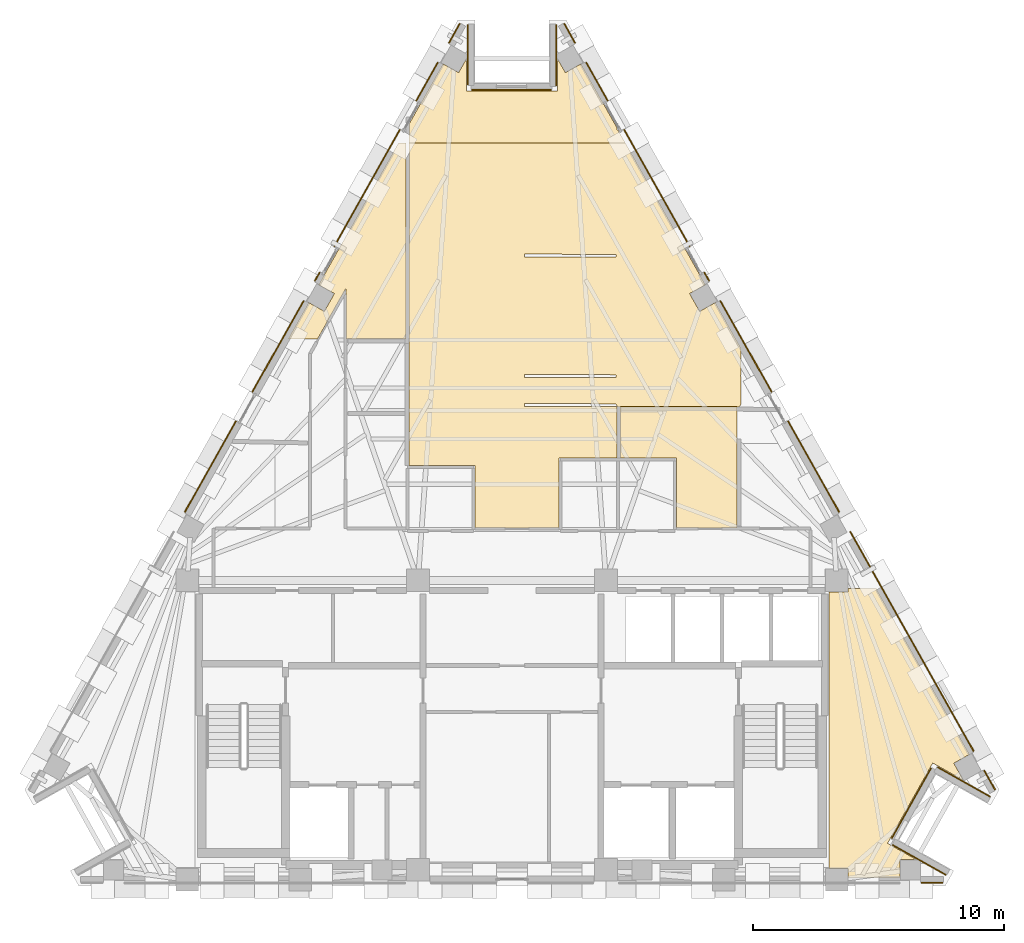
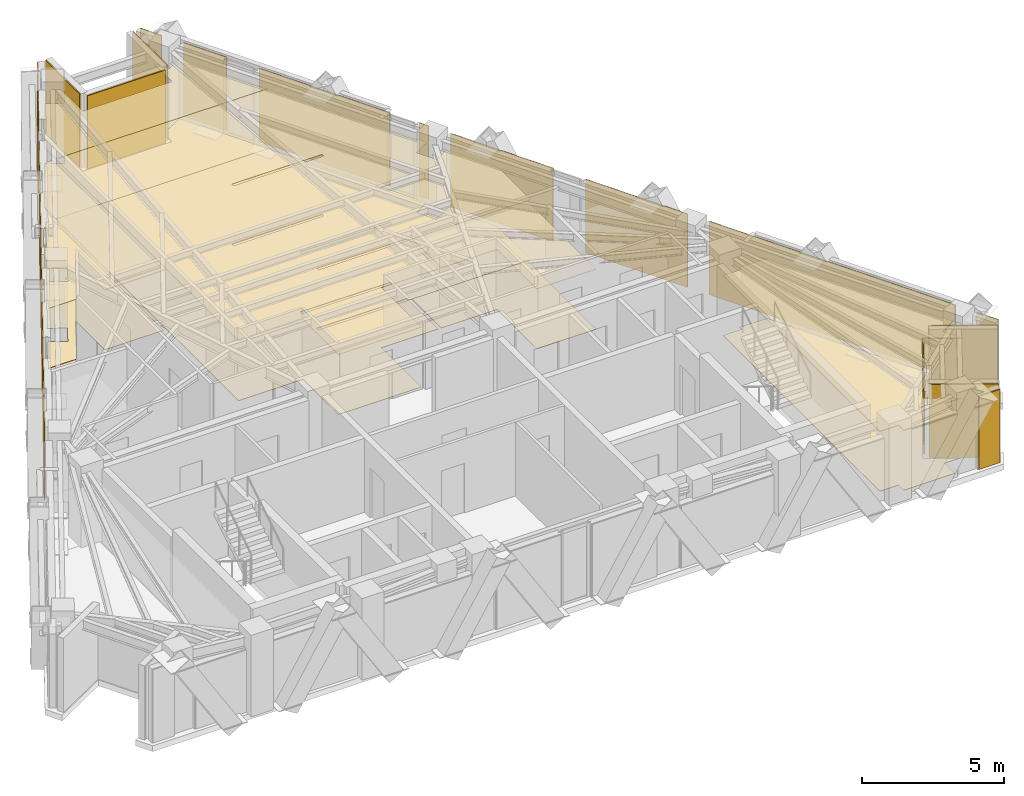
# One storey, part 9 of 9: 31 coverings.
"""IFC4 building model written with IfcOpenShell, lengths in metres."""

import ifcopenshell
import ifcopenshell.guid

model = None  # the IFC model being written
_history = None  # IfcOwnerHistory: only IFC2X3 demands one
_inside = {}  # id of a spatial element -> (the spatial element, [elements in it])
_under = {}  # id of a project, library or spatial element -> (it, [spatial elements below it])
_declared = {}  # id of a project -> (the project, [libraries it declares])
_typed = {}  # id of a type object -> (the type object, [elements of that type])
_made_of = {}  # id of a material, layer set ... -> (it, [elements and type objects made of it])


def new_model(schema):
    """Start an empty IFC model of exactly this schema.

    Asked for "IFC4X3", IfcOpenShell would pick the latest addendum, in which some entities
    have other attributes; the version numbers below select the first issue.
    IFC2X3 requires an IfcOwnerHistory on every rooted entity: one is made here for all.
    """
    global model, _history
    if schema == "IFC4X3":
        model = ifcopenshell.file(schema_version=(4, 3, 0, 0))
    else:
        model = ifcopenshell.file(schema=schema)
    _inside.clear()
    _under.clear()
    _declared.clear()
    _typed.clear()
    _made_of.clear()
    _history = None
    if model.schema == "IFC2X3":
        org = make("IfcOrganization", Name="unknown")
        user = make(
            "IfcPersonAndOrganization",
            ThePerson=make("IfcPerson", FamilyName="unknown"),
            TheOrganization=org,
        )
        app = make(
            "IfcApplication",
            ApplicationDeveloper=org,
            Version="unknown",
            ApplicationFullName="unknown",
            ApplicationIdentifier="unknown",
        )
        _history = make(
            "IfcOwnerHistory",
            OwningUser=user,
            OwningApplication=app,
            ChangeAction="ADDED",
            CreationDate=0,
        )
    return model


def make(cls, **values):
    """One entity of the class cls with the attributes given. An attribute that is None is left unset."""
    return model.create_entity(
        cls, **{name: value for name, value in values.items() if value is not None}
    )


def rooted(cls, **values):
    """An entity with a GlobalId (a new one), such as an element, a storey or a relation."""
    return make(cls, GlobalId=ifcopenshell.guid.new(), OwnerHistory=_history, **values)


def si_unit(unit_type, name, prefix=None):
    """IfcSIUnit, for example si_unit("LENGTHUNIT", "METRE", prefix="MILLI")."""
    return make("IfcSIUnit", UnitType=unit_type, Prefix=prefix, Name=name)


def assignment(units):
    """IfcUnitAssignment: the units of a project."""
    return None if units is None else make("IfcUnitAssignment", Units=units)


def point(xyz):
    """IfcCartesianPoint."""
    return None if xyz is None else make("IfcCartesianPoint", Coordinates=xyz)


def direction(xyz):
    """IfcDirection."""
    return None if xyz is None else make("IfcDirection", DirectionRatios=xyz)


def frame(location, z_axis=None, x_axis=None):
    """IfcAxis2Placement3D, a coordinate frame: its origin and axes. An axis left out is left unset."""
    return make(
        "IfcAxis2Placement3D",
        Location=point(location),
        Axis=direction(z_axis),
        RefDirection=direction(x_axis),
    )


def origin():
    """The frame at (0, 0, 0) with its axes left unset."""
    return frame((0.0, 0.0, 0.0))


def place(relative_to, where):
    """IfcLocalPlacement: puts the frame where relative to a parent placement (None: the world)."""
    return make(
        "IfcLocalPlacement", PlacementRelTo=relative_to, RelativePlacement=where
    )


def context(
    kind, dimensions, precision=None, world=None, true_north=None, identifier=None
):
    """IfcGeometricRepresentationContext, for example the 3D "Model" context."""
    return make(
        "IfcGeometricRepresentationContext",
        ContextIdentifier=identifier,
        ContextType=kind,
        CoordinateSpaceDimension=dimensions,
        Precision=precision,
        WorldCoordinateSystem=world,
        TrueNorth=true_north,
    )


def subcontext(parent, identifier, kind, view, scale=None):
    """IfcGeometricRepresentationSubContext, for example "Body" below "Model"."""
    return make(
        "IfcGeometricRepresentationSubContext",
        ContextIdentifier=identifier,
        ContextType=kind,
        ParentContext=parent,
        TargetScale=scale,
        TargetView=view,
    )


def project(units=None, contexts=None):
    """IfcProject with its units and contexts."""
    return rooted(
        "IfcProject",
        Name="project",
        RepresentationContexts=contexts,
        UnitsInContext=assignment(units),
    )


def spatial(cls, under=None, at=None, **own):
    """A site, building, storey or space (cls), placed at a placement, below another one or the project."""
    s = rooted(cls, ObjectPlacement=at, **own)
    if under is not None:
        _under.setdefault(under.id(), (under, []))[1].append(s)
    return s


def polyline(points):
    """IfcPolyline through the points."""
    return make("IfcPolyline", Points=[point(p) for p in points])


def outline(outer, holes=None, kind="AREA"):
    """IfcArbitraryClosedProfileDef: a profile drawn as a closed curve; with holes, ...WithVoids."""
    if holes is None:
        return make("IfcArbitraryClosedProfileDef", ProfileType=kind, OuterCurve=outer)
    return make(
        "IfcArbitraryProfileDefWithVoids",
        ProfileType=kind,
        OuterCurve=outer,
        InnerCurves=holes,
    )


def extrude(swept, where, along, depth):
    """IfcExtrudedAreaSolid: the profile swept, set in the frame where, extruded along a direction by depth."""
    return make(
        "IfcExtrudedAreaSolid",
        SweptArea=swept,
        Position=where,
        ExtrudedDirection=direction(along),
        Depth=depth,
    )


def shape(context_of_items, identifier, shape_type, items):
    """IfcShapeRepresentation: the items that make up one representation, for example the "Body"."""
    return make(
        "IfcShapeRepresentation",
        ContextOfItems=context_of_items,
        RepresentationIdentifier=identifier,
        RepresentationType=shape_type,
        Items=items,
    )


def material(Name=None, Category=None):
    """IfcMaterial."""
    return make("IfcMaterial", Name=Name, Category=Category)


def layer(
    of_material, thickness, ventilated=None, Name=None, Category=None, Priority=None
):
    """IfcMaterialLayer: one layer of a wall or slab, of a material (None: an air gap)."""
    return make(
        "IfcMaterialLayer",
        Material=of_material,
        LayerThickness=thickness,
        IsVentilated=ventilated,
        Name=Name,
        Category=Category,
        Priority=Priority,
    )


def layer_set(layers, Name=None):
    """IfcMaterialLayerSet."""
    return make("IfcMaterialLayerSet", MaterialLayers=layers, LayerSetName=Name)


def made_of(thing, what):
    """Note that an element or type object is made of a material, layer set ...; save() writes the relation."""
    if what is not None:
        _made_of.setdefault(what.id(), (what, []))[1].append(thing)
    return thing


def type_object(cls, material=None, **own):
    """A type object (cls), such as IfcWallType, which elements share."""
    return made_of(rooted(cls, **own), material)


def element(
    cls,
    number,
    at=None,
    inside=None,
    cuts=None,
    type_object=None,
    material=None,
    context=None,
    identifier="Body",
    shape_type=None,
    held_by="IfcProductDefinitionShape",
    body=None,
    shapes=None,
    **own,
):
    """One element of the class cls, such as IfcWall. Its Tag is "e" and its number.

    at: its placement. inside: the storey or other place that contains it. cuts: it is an
    opening in that element (IfcRelVoidsElement). A single representation is given by context,
    identifier, shape_type and body (its items); several are given by shapes. held_by: the class
    of the entity that holds the representations. save() writes the other relations.
    """
    e = rooted(cls, Tag="e%d" % number, ObjectPlacement=at, **own)
    if body is not None:
        shapes = [shape(context, identifier, shape_type, body)]
    if shapes is not None:
        e.Representation = make(held_by, Representations=shapes)
    if inside is not None:
        _inside.setdefault(inside.id(), (inside, []))[1].append(e)
    if cuts is not None:
        rooted(
            "IfcRelVoidsElement", RelatingBuildingElement=cuts, RelatedOpeningElement=e
        )
    if type_object is not None:
        _typed.setdefault(type_object.id(), (type_object, []))[1].append(e)
    return made_of(e, material)


def aggregate(whole, parts):
    """IfcRelAggregates: a whole, such as a stair, and the parts it consists of."""
    return rooted("IfcRelAggregates", RelatingObject=whole, RelatedObjects=parts)


def save(model, path):
    """Write the relations noted so far, then the file.

    IfcRelAggregates (storeys below a building ...), IfcRelContainedInSpatialStructure (elements
    in a storey), IfcRelDefinesByType, IfcRelAssociatesMaterial and IfcRelDeclares: one each for
    every whole, place, type object, material and project.
    """
    for whole, parts in _under.values():
        aggregate(whole, parts)
    for where, things in _inside.values():
        rooted(
            "IfcRelContainedInSpatialStructure",
            RelatedElements=things,
            RelatingStructure=where,
        )
    for kind, things in _typed.values():
        rooted("IfcRelDefinesByType", RelatedObjects=things, RelatingType=kind)
    for what, things in _made_of.values():
        rooted("IfcRelAssociatesMaterial", RelatedObjects=things, RelatingMaterial=what)
    for by, libraries in _declared.values():
        rooted("IfcRelDeclares", RelatingContext=by, RelatedDefinitions=libraries)
    model.write(path)


model = new_model("IFC4")

# Units and contexts
model_context = context("Model", 3, precision=1e-05, world=origin(), true_north=direction((0.0, 1.0)))
body_context = subcontext(model_context, "Body", "Model", "MODEL_VIEW")
ifc_project = project(units=[si_unit("LENGTHUNIT", "METRE"), si_unit("AREAUNIT", "SQUARE_METRE"), si_unit("VOLUMEUNIT", "CUBIC_METRE"), si_unit("PLANEANGLEUNIT", "RADIAN"), si_unit("MASSUNIT", "GRAM", prefix="KILO")], contexts=[model_context])

# Site, building, storey
site_placement = place(None, origin())
site = spatial("IfcSite", under=ifc_project, at=site_placement, CompositionType="ELEMENT")
building_placement = place(site_placement, origin())
building = spatial("IfcBuilding", under=site, at=building_placement, Name="Quenlor Broadcast Tower", CompositionType="ELEMENT")
storey_placement = place(building_placement, frame((0.0, 0.0, 267.39990234375)))
storey = spatial("IfcBuildingStorey", under=building, at=storey_placement, Name="L74", CompositionType="ELEMENT", Elevation=267.39990234375)

# Coverings
ifc_material_1 = material(Name="Acoustic Mineral Fibre Board", Category="other")
ifc_layer_1 = layer(ifc_material_1, 0.02490234375)
ifc_layer_set_1 = layer_set([ifc_layer_1], Name="Acoustic Perforated Mineral Tile Ceiling 25")
covering_type_1 = type_object("IfcCoveringType", Name="Acoustic Perforated Mineral Tile Ceiling 25", PredefinedType="CEILING", material=ifc_layer_set_1)
covering_1_placement = place(storey_placement, frame((0.0, 0.0, 2.572021484375)))
element("IfcCovering", 1, at=covering_1_placement, inside=storey, type_object=covering_type_1, Name="L74 Acoustic Ceiling L74-24", PredefinedType="CEILING", context=body_context, shape_type="SweptSolid", body=[
    extrude(outline(polyline([(-8.11181640625, 6.28564453125), (-7.48583984375, 5.93359375), (-7.0859375, 6.64501953125), (-7.711669921875, 6.996826171875), (-4.53173828125, 12.64990234375), (-4.219970703125, 12.64990234375), (-4.219970703125, 4.84228515625), (-6.6201171875, 4.84228515625), (-6.6201171875, 6.857177734375), (-7.75341796875, 4.84228515625), (-8.923583984375, 4.84228515625), (-8.11181640625, 6.28564453125)])), origin(), (0.0, 0.0, 1.0), 0.025146484375),
])
covering_2_placement = place(storey_placement, frame((0.0, 0.0, 2.572021484375)))
element("IfcCovering", 2, at=covering_2_placement, inside=storey, type_object=covering_type_1, Name="L74 Acoustic Ceiling L74-25", PredefinedType="CEILING", context=body_context, shape_type="SweptSolid", body=[
    extrude(outline(polyline([(4.204833984375, 2.14404296875), (4.18408203125, 2.164794921875), (4.167724609375, 2.189208984375), (4.156494140625, 2.216552734375), (4.150634765625, 2.245361328125), (0.5, 2.260009765625), (0.5, 2.139892578125), (4.179931640625, 2.139892578125), (4.179931640625, 0.090087890625), (1.8798828125, 0.090087890625), (1.8798828125, -2.699951171875), (-1.47998046875, -2.699951171875), (-1.47998046875, -0.2099609375), (-4.10009765625, -0.2099609375), (-4.10009765625, 12.64990234375), (4.52392578125, 12.64990234375), (4.884765625, 12.0224609375), (6.16357421875, 9.749267578125), (7.0068359375, 8.25), (7.711669921875, 6.996826171875), (7.0859375, 6.64501953125), (7.48583984375, 5.93359375), (8.11181640625, 6.28564453125), (8.783447265625, 5.09130859375), (9.1298828125, 4.475341796875), (9.1298828125, 3.419921875), (9.127197265625, 3.390625), (9.11865234375, 3.362548828125), (9.12353515625, 3.343505859375), (9.12939453125, 3.314697265625), (9.1298828125, 2.260009765625), (9.127197265625, 2.230712890625), (9.11865234375, 2.20263671875), (9.104736328125, 2.1767578125), (9.086181640625, 2.15380859375), (9.063232421875, 2.13525390625), (9.037353515625, 2.121337890625), (9.00927734375, 2.11279296875), (8.97998046875, 2.110107421875), (4.300048828125, 2.110107421875), (4.256591796875, 2.116455078125), (4.229248046875, 2.127685546875), (4.204833984375, 2.14404296875)]), holes=[polyline([(4.156494140625, 3.37646484375), (4.150634765625, 3.4052734375), (0.5, 3.419921875), (0.5, 3.300048828125), (4.14990234375, 3.300048828125), (4.156494140625, 3.343505859375), (4.16259765625, 3.360107421875), (4.156494140625, 3.37646484375)]), polyline([(4.150634765625, 8.205322265625), (0.5, 8.219970703125), (0.5, 8.10009765625), (4.14990234375, 8.10009765625), (4.15283203125, 8.12939453125), (4.16259765625, 8.159912109375), (4.156494140625, 8.176513671875), (4.150634765625, 8.205322265625)])]), origin(), (0.0, 0.0, 1.0), 0.025146484375),
])
covering_3_placement = place(storey_placement, frame((0.0, 0.0, 2.572021484375)))
element("IfcCovering", 3, at=covering_3_placement, inside=storey, type_object=covering_type_1, Name="L74 Acoustic Ceiling L74-25-2", PredefinedType="CEILING", context=body_context, shape_type="SweptSolid", body=[
    extrude(outline(polyline([(-4.10009765625, 13.41748046875), (-2.7548828125, 15.808837890625), (-2.129150390625, 15.456787109375), (-1.808837890625, 16.0263671875), (-1.808837890625, 14.719970703125), (1.808837890625, 14.719970703125), (1.808837890625, 16.0263671875), (2.129150390625, 15.456787109375), (2.7548828125, 15.808837890625), (4.179931640625, 13.275390625), (4.179931640625, 13.15185546875), (4.193359375, 13.16748046875), (4.2158203125, 13.18603515625), (4.52392578125, 12.64990234375), (-4.10009765625, 12.64990234375), (-4.10009765625, 13.41748046875)])), origin(), (0.0, 0.0, 1.0), 0.025146484375),
])
covering_4_placement = place(storey_placement, frame((0.0, 0.0, 2.572021484375)))
element("IfcCovering", 4, at=covering_4_placement, inside=storey, type_object=covering_type_1, Name="L74 Acoustic Ceiling L74-28", PredefinedType="CEILING", context=body_context, shape_type="SweptSolid", body=[
    extrude(outline(polyline([(4.300048828125, 2.139892578125), (8.97998046875, 2.139892578125), (8.97998046875, -2.699951171875), (6.570068359375, -2.699951171875), (6.570068359375, 0.090087890625), (4.300048828125, 0.090087890625), (4.300048828125, 2.139892578125)])), origin(), (0.0, 0.0, 1.0), 0.025146484375),
])
ifc_material_2 = material(Name="Acoustic Gypsum Board", Category="other")
ifc_layer_2 = layer(ifc_material_2, 0.0400390625)
ifc_layer_set_2 = layer_set([ifc_layer_2], Name="Broadcast Studio Spring Isolated Ceiling 40")
covering_type_2 = type_object("IfcCoveringType", Name="Broadcast Studio Spring Isolated Ceiling 40", PredefinedType="CEILING", material=ifc_layer_set_2)
covering_5_placement = place(storey_placement, frame((0.0, 0.0, 2.55712890625)))
element("IfcCovering", 5, at=covering_5_placement, inside=storey, type_object=covering_type_2, Name="L74 Acoustic Ceiling L74-31-2", PredefinedType="CEILING", context=body_context, shape_type="SweptSolid", body=[
    extrude(outline(polyline([(13.407958984375, -5.1201171875), (14.52734375, -5.1201171875), (18.25244140625, -11.7421875), (17.626708984375, -12.09423828125), (18.0087890625, -12.773681640625), (16.785888671875, -12.085693359375), (14.983642578125, -15.28955078125), (16.1435546875, -15.94189453125), (15.489501953125, -15.94189453125), (15.489501953125, -16.659912109375), (13.407958984375, -16.659912109375), (13.407958984375, -16.2919921875), (12.64990234375, -16.2919921875), (12.64990234375, -5.258056640625), (13.407958984375, -5.258056640625), (13.407958984375, -5.1201171875)])), origin(), (0.0, 0.0, 1.0), 0.0400390625),
])
ifc_material_3 = material(Name="Architectural Terracotta Ceramic", Category="masonry")
ifc_layer_3 = layer(ifc_material_3, 0.044921875)
ifc_layer_set_3 = layer_set([ifc_layer_3], Name="Fluted Terracotta Rainscreen Cladding Panel")
covering_type_3 = type_object("IfcCoveringType", Name="Fluted Terracotta Rainscreen Cladding Panel", PredefinedType="CLADDING", material=ifc_layer_set_3)
covering_6_placement = place(storey_placement, frame((0.0, 0.0, 0.02001953125)))
element("IfcCovering", 6, at=covering_6_placement, inside=storey, type_object=covering_type_3, Name="L74 Terracotta Rainscreen Cladding L74-SHD-SS0", PredefinedType="CLADDING", context=body_context, shape_type="SweptSolid", body=[
    extrude(outline(polyline([(17.18994140625, -16.8369140625), (16.33251953125, -16.8369140625), (16.33251953125, -16.882080078125), (17.18994140625, -16.882080078125), (17.18994140625, -16.8369140625)])), origin(), (0.0, 0.0, 1.0), 3.14013671875),
])
covering_7_placement = place(storey_placement, frame((0.0, 0.0, 0.02001953125)))
element("IfcCovering", 7, at=covering_7_placement, inside=storey, type_object=covering_type_3, Name="L74 Terracotta Rainscreen Cladding L74-SHD-NES0", PredefinedType="CLADDING", context=body_context, shape_type="SweptSolid", body=[
    extrude(outline(polyline([(2.06201171875, 17.401611328125), (2.495849609375, 16.630615234375), (2.534912109375, 16.652587890625), (2.101318359375, 17.423583984375), (2.06201171875, 17.401611328125)])), origin(), (0.0, 0.0, 1.0), 3.14013671875),
])
covering_8_placement = place(storey_placement, frame((0.0, 0.0, 0.02001953125)))
element("IfcCovering", 8, at=covering_8_placement, inside=storey, type_object=covering_type_3, Name="L74 Terracotta Rainscreen Cladding L74-SHD-NES1", PredefinedType="CLADDING", context=body_context, shape_type="SweptSolid", body=[
    extrude(outline(polyline([(18.820068359375, -12.39013671875), (19.25390625, -13.161376953125), (19.29296875, -13.139404296875), (18.859130859375, -12.3681640625), (18.820068359375, -12.39013671875)])), origin(), (0.0, 0.0, 1.0), 3.14013671875),
])
covering_9_placement = place(storey_placement, frame((0.0, 0.0, 0.02001953125)))
element("IfcCovering", 9, at=covering_9_placement, inside=storey, type_object=covering_type_3, Name="L74 Terracotta Rainscreen Cladding L74-NEA-SP1", PredefinedType="CLADDING", context=body_context, shape_type="SweptSolid", body=[
    extrude(outline(polyline([(2.94091796875, 15.859619140625), (3.8037109375, 14.325927734375), (3.8427734375, 14.347900390625), (2.980224609375, 15.881591796875), (2.94091796875, 15.859619140625)])), origin(), (0.0, 0.0, 1.0), 3.14013671875),
])
covering_10_placement = place(storey_placement, frame((0.0, 0.0, 0.02001953125)))
element("IfcCovering", 10, at=covering_10_placement, inside=storey, type_object=covering_type_3, Name="L74 Terracotta Rainscreen Cladding L74-NEA-SP2", PredefinedType="CLADDING", context=body_context, shape_type="SweptSolid", body=[
    extrude(outline(polyline([(4.450927734375, 13.17529296875), (7.0732421875, 8.51318359375), (7.1123046875, 8.53515625), (4.490234375, 13.197265625), (4.450927734375, 13.17529296875)])), origin(), (0.0, 0.0, 1.0), 3.14013671875),
])
covering_11_placement = place(storey_placement, frame((0.0, 0.0, 0.02001953125)))
element("IfcCovering", 11, at=covering_11_placement, inside=storey, type_object=covering_type_3, Name="L74 Terracotta Rainscreen Cladding L74-NEA-SP3", PredefinedType="CLADDING", context=body_context, shape_type="SweptSolid", body=[
    extrude(outline(polyline([(7.655517578125, 7.478271484375), (7.8515625, 7.129638671875), (7.890625, 7.151611328125), (7.694580078125, 7.500244140625), (7.655517578125, 7.478271484375)])), origin(), (0.0, 0.0, 1.0), 3.14013671875),
])
covering_12_placement = place(storey_placement, frame((0.0, 0.0, 0.02001953125)))
element("IfcCovering", 12, at=covering_12_placement, inside=storey, type_object=covering_type_3, Name="L74 Terracotta Rainscreen Cladding L74-EW-NEC", PredefinedType="CLADDING", context=body_context, shape_type="SweptSolid", body=[
    extrude(outline(polyline([(13.471923828125, -2.862060546875), (18.402099609375, -11.626953125), (18.44140625, -11.60498046875), (13.51123046875, -2.840087890625), (13.471923828125, -2.862060546875)])), origin(), (0.0, 0.0, 1.0), 3.14013671875),
])
covering_13_placement = place(storey_placement, frame((0.0, 0.0, 0.02001953125)))
element("IfcCovering", 13, at=covering_13_placement, inside=storey, type_object=covering_type_3, Name="L74 Terracotta Rainscreen Cladding L74-NE-SP1", PredefinedType="CLADDING", context=body_context, shape_type="SweptSolid", body=[
    extrude(outline(polyline([(8.295166015625, 6.3408203125), (10.343017578125, 2.700439453125), (10.382080078125, 2.722412109375), (8.33447265625, 6.36279296875), (8.295166015625, 6.3408203125)])), origin(), (0.0, 0.0, 1.0), 3.14013671875),
])
covering_14_placement = place(storey_placement, frame((0.0, 0.0, 0.02001953125)))
element("IfcCovering", 14, at=covering_14_placement, inside=storey, type_object=covering_type_3, Name="L74 Terracotta Rainscreen Cladding L74-NE-SP2", PredefinedType="CLADDING", context=body_context, shape_type="SweptSolid", body=[
    extrude(outline(polyline([(10.990234375, 1.5498046875), (13.0380859375, -2.0908203125), (13.0771484375, -2.068603515625), (11.029541015625, 1.57177734375), (10.990234375, 1.5498046875)])), origin(), (0.0, 0.0, 1.0), 3.14013671875),
])
covering_15_placement = place(storey_placement, frame((0.0, 0.0, 0.02001953125)))
element("IfcCovering", 15, at=covering_15_placement, inside=storey, type_object=covering_type_3, Name="L74 Terracotta Rainscreen Cladding L74-SHD-NWS1", PredefinedType="CLADDING", context=body_context, shape_type="SweptSolid", body=[
    extrude(outline(polyline([(-2.495849609375, 16.630615234375), (-2.06201171875, 17.401611328125), (-2.101318359375, 17.423583984375), (-2.534912109375, 16.652587890625), (-2.495849609375, 16.630615234375)])), origin(), (0.0, 0.0, 1.0), 3.14013671875),
])
covering_16_placement = place(storey_placement, frame((0.0, 0.0, 0.02001953125)))
element("IfcCovering", 16, at=covering_16_placement, inside=storey, type_object=covering_type_3, Name="L74 Terracotta Rainscreen Cladding L74-NWC-SP1", PredefinedType="CLADDING", context=body_context, shape_type="SweptSolid", body=[
    extrude(outline(polyline([(-7.8515625, 7.129638671875), (-7.655517578125, 7.478271484375), (-7.694580078125, 7.500244140625), (-7.890625, 7.151611328125), (-7.8515625, 7.129638671875)])), origin(), (0.0, 0.0, 1.0), 3.14013671875),
])
covering_17_placement = place(storey_placement, frame((0.0, 0.0, 0.02001953125)))
element("IfcCovering", 17, at=covering_17_placement, inside=storey, type_object=covering_type_3, Name="L74 Terracotta Rainscreen Cladding L74-NWC-SP2", PredefinedType="CLADDING", context=body_context, shape_type="SweptSolid", body=[
    extrude(outline(polyline([(-7.0732421875, 8.51318359375), (-4.450927734375, 13.17529296875), (-4.490234375, 13.197265625), (-7.1123046875, 8.53515625), (-7.0732421875, 8.51318359375)])), origin(), (0.0, 0.0, 1.0), 3.14013671875),
])
covering_18_placement = place(storey_placement, frame((0.0, 0.0, 0.02001953125)))
element("IfcCovering", 18, at=covering_18_placement, inside=storey, type_object=covering_type_3, Name="L74 Terracotta Rainscreen Cladding L74-NWC-SP3", PredefinedType="CLADDING", context=body_context, shape_type="SweptSolid", body=[
    extrude(outline(polyline([(-3.8037109375, 14.325927734375), (-2.94091796875, 15.859619140625), (-2.980224609375, 15.881591796875), (-3.8427734375, 14.347900390625), (-3.8037109375, 14.325927734375)])), origin(), (0.0, 0.0, 1.0), 3.14013671875),
])
covering_19_placement = place(storey_placement, frame((0.0, 0.0, 0.02001953125)))
element("IfcCovering", 19, at=covering_19_placement, inside=storey, type_object=covering_type_3, Name="L74 Terracotta Rainscreen Cladding L74-NW-SP1", PredefinedType="CLADDING", context=body_context, shape_type="SweptSolid", body=[
    extrude(outline(polyline([(-13.0380859375, -2.0908203125), (-10.990234375, 1.5498046875), (-11.029541015625, 1.57177734375), (-13.0771484375, -2.068603515625), (-13.0380859375, -2.0908203125)])), origin(), (0.0, 0.0, 1.0), 3.14013671875),
])
covering_20_placement = place(storey_placement, frame((0.0, 0.0, 0.02001953125)))
element("IfcCovering", 20, at=covering_20_placement, inside=storey, type_object=covering_type_3, Name="L74 Terracotta Rainscreen Cladding L74-NW-SP2", PredefinedType="CLADDING", context=body_context, shape_type="SweptSolid", body=[
    extrude(outline(polyline([(-10.343017578125, 2.700439453125), (-8.295166015625, 6.3408203125), (-8.33447265625, 6.36279296875), (-10.382080078125, 2.722412109375), (-10.343017578125, 2.700439453125)])), origin(), (0.0, 0.0, 1.0), 3.14013671875),
])
covering_21_placement = place(storey_placement, frame((0.0, 0.0, 0.02001953125)))
element("IfcCovering", 21, at=covering_21_placement, inside=storey, type_object=covering_type_3, Name="L74 Terracotta Rainscreen Cladding L74-CNR-01", PredefinedType="CLADDING", context=body_context, shape_type="SweptSolid", body=[
    extrude(outline(polyline([(17.32666015625, -16.529541015625), (15.199951171875, -15.333251953125), (15.177978515625, -15.372314453125), (17.3046875, -16.568603515625), (17.32666015625, -16.529541015625)])), origin(), (0.0, 0.0, 1.0), 3.14013671875),
])
covering_22_placement = place(storey_placement, frame((0.0, 0.0, 0.02001953125)))
element("IfcCovering", 22, at=covering_22_placement, inside=storey, type_object=covering_type_3, Name="L74 Terracotta Rainscreen Cladding L74-CNR-02", PredefinedType="CLADDING", context=body_context, shape_type="SweptSolid", body=[
    extrude(outline(polyline([(15.16552734375, -15.10498046875), (16.7421875, -12.302001953125), (16.702880859375, -12.280029296875), (15.126220703125, -15.0830078125), (15.16552734375, -15.10498046875)])), origin(), (0.0, 0.0, 1.0), 2.6796875),
])
covering_23_placement = place(storey_placement, frame((0.0, 0.0, 0.02001953125)))
element("IfcCovering", 23, at=covering_23_placement, inside=storey, type_object=covering_type_3, Name="L74 Terracotta Rainscreen Cladding L74-CNR-03", PredefinedType="CLADDING", context=body_context, shape_type="SweptSolid", body=[
    extrude(outline(polyline([(16.970458984375, -12.267578125), (19.062255859375, -13.444091796875), (19.084228515625, -13.405029296875), (16.992431640625, -12.228271484375), (16.970458984375, -12.267578125)])), origin(), (0.0, 0.0, 1.0), 3.14013671875),
])
covering_24_placement = place(storey_placement, frame((0.0, 0.0, 0.02001953125)))
element("IfcCovering", 24, at=covering_24_placement, inside=storey, type_object=covering_type_3, Name="L74 Terracotta Rainscreen Cladding L74-CNR-07", PredefinedType="CLADDING", context=body_context, shape_type="SweptSolid", body=[
    extrude(outline(polyline([(1.74072265625, 17.3701171875), (1.74072265625, 14.929931640625), (1.785888671875, 14.929931640625), (1.785888671875, 17.3701171875), (1.74072265625, 17.3701171875)])), origin(), (0.0, 0.0, 1.0), 3.14013671875),
])
covering_25_placement = place(storey_placement, frame((0.0, 0.0, 0.02001953125)))
element("IfcCovering", 25, at=covering_25_placement, inside=storey, type_object=covering_type_3, Name="L74 Terracotta Rainscreen Cladding L74-CNR-08", PredefinedType="CLADDING", context=body_context, shape_type="SweptSolid", body=[
    extrude(outline(polyline([(1.558837890625, 14.7880859375), (-1.598876953125, 14.7880859375), (-1.598876953125, 14.742919921875), (1.558837890625, 14.742919921875), (1.558837890625, 14.7880859375)])), origin(), (0.0, 0.0, 1.0), 3.14013671875),
])
covering_26_placement = place(storey_placement, frame((0.0, 0.0, 0.02001953125)))
element("IfcCovering", 26, at=covering_26_placement, inside=storey, type_object=covering_type_3, Name="L74 Terracotta Rainscreen Cladding L74-CNR-09", PredefinedType="CLADDING", context=body_context, shape_type="SweptSolid", body=[
    extrude(outline(polyline([(-1.74072265625, 14.969970703125), (-1.74072265625, 17.3701171875), (-1.785888671875, 17.3701171875), (-1.785888671875, 14.969970703125), (-1.74072265625, 14.969970703125)])), origin(), (0.0, 0.0, 1.0), 3.14013671875),
])
ifc_material_4 = material(Name="Terrazzo Stone Finish", Category="masonry")
ifc_layer_4 = layer(ifc_material_4, 0.02001953125)
ifc_layer_set_4 = layer_set([ifc_layer_4], Name="Polished Sandstone Terrazzo Flooring 20")
covering_type_4 = type_object("IfcCoveringType", Name="Polished Sandstone Terrazzo Flooring 20", PredefinedType="FLOORING", material=ifc_layer_set_4)
covering_27_placement = place(storey_placement, origin())
element("IfcCovering", 27, at=covering_27_placement, inside=storey, type_object=covering_type_4, Name="L74 Terrazzo Flooring L74-24", PredefinedType="FLOORING", context=body_context, shape_type="SweptSolid", body=[
    extrude(outline(polyline([(-8.11181640625, 6.28564453125), (-7.48583984375, 5.93359375), (-7.0859375, 6.64501953125), (-7.711669921875, 6.996826171875), (-4.53173828125, 12.64990234375), (-4.219970703125, 12.64990234375), (-4.219970703125, 4.84228515625), (-6.6201171875, 4.84228515625), (-6.6201171875, 6.857177734375), (-7.75341796875, 4.84228515625), (-8.923583984375, 4.84228515625), (-8.11181640625, 6.28564453125)])), origin(), (0.0, 0.0, 1.0), 0.02001953125),
])
covering_28_placement = place(storey_placement, origin())
element("IfcCovering", 28, at=covering_28_placement, inside=storey, type_object=covering_type_4, Name="L74 Terrazzo Flooring L74-25", PredefinedType="FLOORING", context=body_context, shape_type="SweptSolid", body=[
    extrude(outline(polyline([(4.204833984375, 2.14404296875), (4.18408203125, 2.164794921875), (4.167724609375, 2.189208984375), (4.156494140625, 2.216552734375), (4.150634765625, 2.245361328125), (0.5, 2.260009765625), (0.5, 2.139892578125), (4.179931640625, 2.139892578125), (4.179931640625, 0.090087890625), (1.8798828125, 0.090087890625), (1.8798828125, -2.699951171875), (-1.47998046875, -2.699951171875), (-1.47998046875, -0.2099609375), (-4.10009765625, -0.2099609375), (-4.10009765625, 12.64990234375), (4.52392578125, 12.64990234375), (4.884765625, 12.0224609375), (6.16357421875, 9.749267578125), (7.0068359375, 8.25), (7.711669921875, 6.996826171875), (7.0859375, 6.64501953125), (7.48583984375, 5.93359375), (8.11181640625, 6.28564453125), (8.783447265625, 5.09130859375), (9.1298828125, 4.475341796875), (9.1298828125, 3.419921875), (9.127197265625, 3.390625), (9.11865234375, 3.362548828125), (9.12353515625, 3.343505859375), (9.12939453125, 3.314697265625), (9.1298828125, 2.260009765625), (9.127197265625, 2.230712890625), (9.11865234375, 2.20263671875), (9.104736328125, 2.1767578125), (9.086181640625, 2.15380859375), (9.063232421875, 2.13525390625), (9.037353515625, 2.121337890625), (9.00927734375, 2.11279296875), (8.97998046875, 2.110107421875), (4.300048828125, 2.110107421875), (4.256591796875, 2.116455078125), (4.229248046875, 2.127685546875), (4.204833984375, 2.14404296875)]), holes=[polyline([(4.156494140625, 3.37646484375), (4.150634765625, 3.4052734375), (0.5, 3.419921875), (0.5, 3.300048828125), (4.14990234375, 3.300048828125), (4.156494140625, 3.343505859375), (4.16259765625, 3.360107421875), (4.156494140625, 3.37646484375)]), polyline([(4.150634765625, 8.205322265625), (0.5, 8.219970703125), (0.5, 8.10009765625), (4.14990234375, 8.10009765625), (4.15283203125, 8.12939453125), (4.16259765625, 8.159912109375), (4.156494140625, 8.176513671875), (4.150634765625, 8.205322265625)])]), origin(), (0.0, 0.0, 1.0), 0.02001953125),
])
covering_29_placement = place(storey_placement, origin())
element("IfcCovering", 29, at=covering_29_placement, inside=storey, type_object=covering_type_4, Name="L74 Terrazzo Flooring L74-25-2", PredefinedType="FLOORING", context=body_context, shape_type="SweptSolid", body=[
    extrude(outline(polyline([(-4.10009765625, 13.41748046875), (-2.7548828125, 15.808837890625), (-2.129150390625, 15.456787109375), (-1.808837890625, 16.0263671875), (-1.808837890625, 14.719970703125), (1.808837890625, 14.719970703125), (1.808837890625, 16.0263671875), (2.129150390625, 15.456787109375), (2.7548828125, 15.808837890625), (4.179931640625, 13.275390625), (4.179931640625, 13.15185546875), (4.193359375, 13.16748046875), (4.2158203125, 13.18603515625), (4.52392578125, 12.64990234375), (-4.10009765625, 12.64990234375), (-4.10009765625, 13.41748046875)])), origin(), (0.0, 0.0, 1.0), 0.02001953125),
])
covering_30_placement = place(storey_placement, origin())
element("IfcCovering", 30, at=covering_30_placement, inside=storey, type_object=covering_type_4, Name="L74 Terrazzo Flooring L74-28", PredefinedType="FLOORING", context=body_context, shape_type="SweptSolid", body=[
    extrude(outline(polyline([(4.300048828125, 2.139892578125), (8.97998046875, 2.139892578125), (8.97998046875, -2.699951171875), (6.570068359375, -2.699951171875), (6.570068359375, 0.090087890625), (4.300048828125, 0.090087890625), (4.300048828125, 2.139892578125)])), origin(), (0.0, 0.0, 1.0), 0.02001953125),
])
covering_31_placement = place(storey_placement, origin())
element("IfcCovering", 31, at=covering_31_placement, inside=storey, type_object=covering_type_4, Name="L74 Terrazzo Flooring L74-31-2", PredefinedType="FLOORING", context=body_context, shape_type="SweptSolid", body=[
    extrude(outline(polyline([(13.407958984375, -5.1201171875), (14.52734375, -5.1201171875), (18.25244140625, -11.7421875), (17.626708984375, -12.09423828125), (18.0087890625, -12.773681640625), (16.785888671875, -12.085693359375), (14.983642578125, -15.28955078125), (16.1435546875, -15.94189453125), (15.489501953125, -15.94189453125), (15.489501953125, -16.659912109375), (13.407958984375, -16.659912109375), (13.407958984375, -16.2919921875), (12.64990234375, -16.2919921875), (12.64990234375, -5.258056640625), (13.407958984375, -5.258056640625), (13.407958984375, -5.1201171875)])), origin(), (0.0, 0.0, 1.0), 0.02001953125),
])

save(model, "model.ifc")
